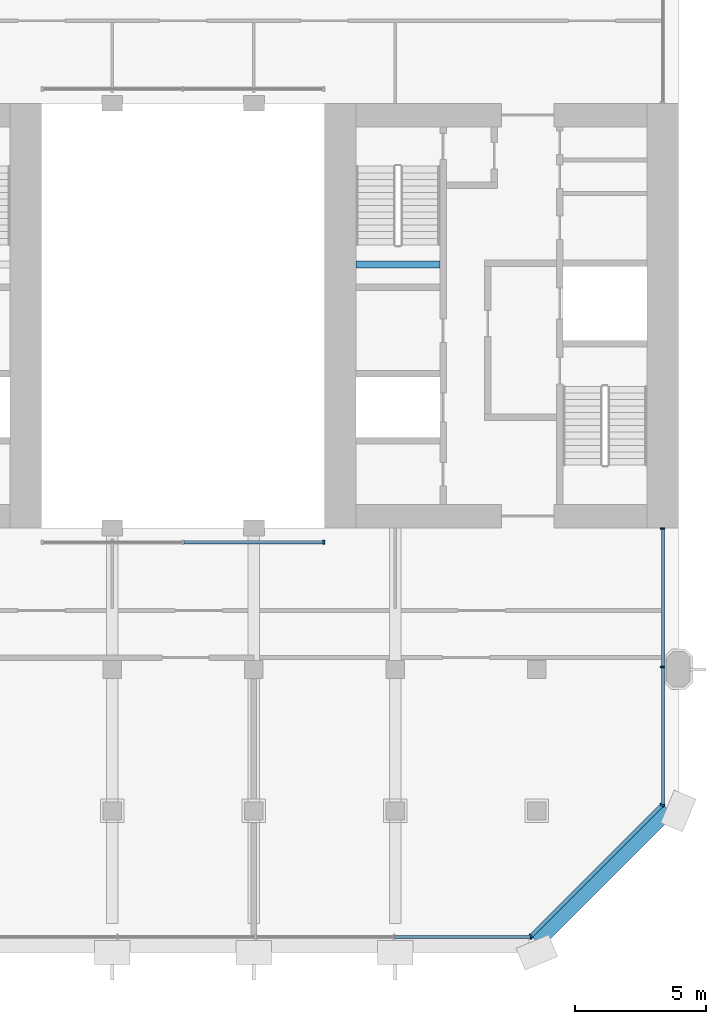
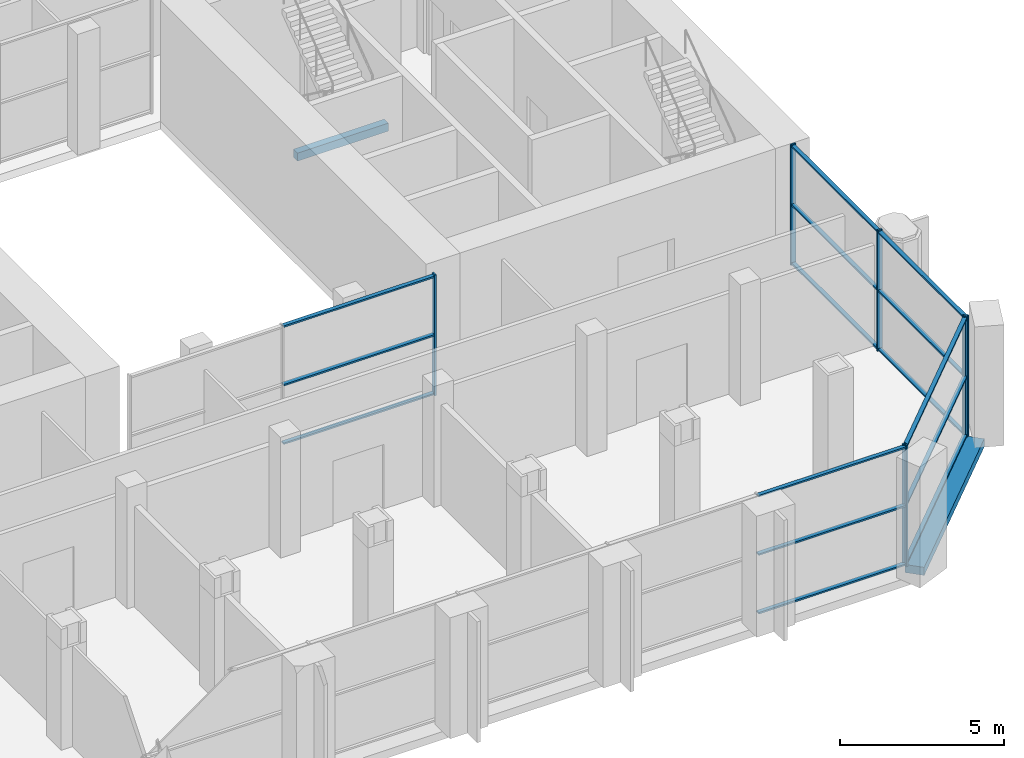
# One storey, part 5 of 14: 22 members, 2 beams, 4 elements without a shape of their own.
"""IFC4 building model written with IfcOpenShell, lengths in metres."""

from ifc_helpers import new_model, si_unit, direction, frame, origin, origin_2d, place, context, subcontext, project, spatial, rectangle, extrude, material, material_profile, profile_set, type_object, element, aggregate, save


model = new_model("IFC4")

# Units and contexts
model_context = context("Model", 3, precision=1e-05, world=origin(), true_north=direction((0.0, 1.0)))
body_context = subcontext(model_context, "Body", "Model", "MODEL_VIEW")
ifc_project = project(units=[si_unit("LENGTHUNIT", "METRE"), si_unit("AREAUNIT", "SQUARE_METRE"), si_unit("VOLUMEUNIT", "CUBIC_METRE"), si_unit("PLANEANGLEUNIT", "RADIAN"), si_unit("MASSUNIT", "GRAM", prefix="KILO")], contexts=[model_context])

# Site, building, storey
site_placement = place(None, origin())
site = spatial("IfcSite", under=ifc_project, at=site_placement, CompositionType="ELEMENT")
building_placement = place(site_placement, origin())
building = spatial("IfcBuilding", under=site, at=building_placement, Name="Tabaq Tower and Sports Hall", CompositionType="ELEMENT")
storey_placement = place(building_placement, frame((0.0, 0.0, 250.89990234375)))
storey = spatial("IfcBuildingStorey", under=building, at=storey_placement, Name="L61", CompositionType="ELEMENT", Elevation=250.89990234375)

# Curtain wall, members
ifc_material_1 = material(Name="Aluminium alloy 6063-T6 framed glazing", Category="aluminium")
curtain_wall_type_1 = type_object("IfcCurtainWallType", Name="CW1 curtain wall", PredefinedType="USERDEFINED", material=ifc_material_1)
curtain_wall_1_placement = place(storey_placement, origin())
curtain_wall_1 = element("IfcCurtainWall", 1, at=curtain_wall_1_placement, inside=storey, type_object=curtain_wall_type_1, Name="Atrium glazing L61 S", ObjectType="ATRIUM ENCLOSURE", PredefinedType="USERDEFINED")
ifc_material_2 = material(Name="Aluminium alloy 6063-T6", Category="aluminium")
ifc_material_profile_1 = material_profile(ifc_material_2, rectangle(XDim=0.159912109375, YDim=0.06005859375, at=origin_2d()), Name="MULLION 160x60")
ifc_profile_set_1 = profile_set([ifc_material_profile_1], Name="Aluminium alloy 6063-T6")
member_type_1 = type_object("IfcMemberType", Name="CW1 mullion 160x60", PredefinedType="MULLION", material=ifc_profile_set_1)
member_1_placement = place(storey_placement, frame((29.669921875, 15.64990234375, 0.0), z_axis=(0.0, 0.0, 1.0), x_axis=(0.0, 1.0, 0.0)))
member_1 = element("IfcMember", 2, at=member_1_placement, type_object=member_type_1, Name="CW1 mullion 3", PredefinedType="MULLION", context=body_context, shape_type="SweptSolid", body=[
    extrude(rectangle(XDim=0.159912109375, YDim=0.06005859375, at=origin_2d()), origin(), (0.0, 0.0, 1.0), 4.5),
])
ifc_material_3 = material(Name="Aluminium alloy 6063-T6", Category="aluminium")
ifc_material_profile_2 = material_profile(ifc_material_3, rectangle(XDim=0.139892578125, YDim=0.06005859375, at=origin_2d()), Name="TRANSOM 140x60")
ifc_profile_set_2 = profile_set([ifc_material_profile_2], Name="Aluminium alloy 6063-T6")
member_type_2 = type_object("IfcMemberType", Name="CW1 transom 140x60", PredefinedType="USERDEFINED", material=ifc_profile_set_2)
member_2_placement = place(storey_placement, frame((24.330078125, 15.64990234375, 0.070068359375), z_axis=(1.0, 0.0, 0.0), x_axis=(0.0, 1.0, 0.0)))
member_2 = element("IfcMember", 3, at=member_2_placement, type_object=member_type_2, Name="CW1 transom 2.1", ObjectType="TRANSOM", PredefinedType="USERDEFINED", context=body_context, shape_type="SweptSolid", body=[
    extrude(rectangle(XDim=0.139892578125, YDim=0.06005859375, at=origin_2d()), origin(), (0.0, 0.0, 1.0), 5.309814453125),
])
member_3_placement = place(storey_placement, frame((24.330078125, 15.64990234375, 2.25), z_axis=(1.0, 0.0, 0.0), x_axis=(0.0, 1.0, 0.0)))
member_3 = element("IfcMember", 4, at=member_3_placement, type_object=member_type_2, Name="CW1 transom 2.2", ObjectType="TRANSOM", PredefinedType="USERDEFINED", context=body_context, shape_type="SweptSolid", body=[
    extrude(rectangle(XDim=0.139892578125, YDim=0.06005859375, at=origin_2d()), origin(), (0.0, 0.0, 1.0), 5.309814453125),
])
member_4_placement = place(storey_placement, frame((24.330078125, 15.64990234375, 4.43017578125), z_axis=(1.0, 0.0, 0.0), x_axis=(0.0, 1.0, 0.0)))
member_4 = element("IfcMember", 5, at=member_4_placement, type_object=member_type_2, Name="CW1 transom 2.3", ObjectType="TRANSOM", PredefinedType="USERDEFINED", context=body_context, shape_type="SweptSolid", body=[
    extrude(rectangle(XDim=0.139892578125, YDim=0.06005859375, at=origin_2d()), origin(), (0.0, 0.0, 1.0), 5.309814453125),
])
aggregate(curtain_wall_1, [member_1, member_2, member_3, member_4])

# Curtain wall, member
ifc_material_4 = material(Name="Aluminium alloy 6063-T6 framed glazing", Category="aluminium")
curtain_wall_type_2 = type_object("IfcCurtainWallType", Name="CW3 curtain wall", PredefinedType="USERDEFINED", material=ifc_material_4)
curtain_wall_2_placement = place(storey_placement, origin())
curtain_wall_2 = element("IfcCurtainWall", 6, at=curtain_wall_2_placement, inside=storey, type_object=curtain_wall_type_2, Name="Garden Floor Wall L61 S", ObjectType="GARDEN FLOOR WALL", PredefinedType="USERDEFINED")
ifc_material_5 = material(Name="Aluminium alloy 6063-T6", Category="aluminium")
ifc_material_profile_3 = material_profile(ifc_material_5, rectangle(XDim=0.179931640625, YDim=0.06005859375, at=origin_2d()), Name="MULLION 180x60")
ifc_profile_set_3 = profile_set([ifc_material_profile_3], Name="Aluminium alloy 6063-T6")
member_type_3 = type_object("IfcMemberType", Name="CW3 mullion 180x60", PredefinedType="MULLION", material=ifc_profile_set_3)
member_5_placement = place(storey_placement, frame((37.58349609375, 0.60009765625, 0.0), z_axis=(0.0, 0.0, 1.0), x_axis=(0.0, 1.0, 0.0)))
member_5 = element("IfcMember", 7, at=member_5_placement, type_object=member_type_3, Name="CW3 mullion 7", PredefinedType="MULLION", context=body_context, shape_type="SweptSolid", body=[
    extrude(rectangle(XDim=0.179931640625, YDim=0.06005859375, at=origin_2d()), origin(), (0.0, 0.0, 1.0), 4.5),
])

# Curtain wall, members
curtain_wall_3_placement = place(storey_placement, origin())
curtain_wall_3 = element("IfcCurtainWall", 8, at=curtain_wall_3_placement, inside=storey, type_object=curtain_wall_type_2, Name="Garden Floor Wall L61 SE", ObjectType="GARDEN FLOOR WALL", PredefinedType="USERDEFINED")
member_6_placement = place(storey_placement, frame((37.57275390625, 0.62109375, 0.0), z_axis=(0.0, 0.0, 1.0), x_axis=(-0.707106781187, 0.707106781187, 0.0)))
member_6 = element("IfcMember", 9, at=member_6_placement, type_object=member_type_3, Name="CW3 mullion 1", PredefinedType="MULLION", context=body_context, shape_type="SweptSolid", body=[
    extrude(rectangle(XDim=0.179931640625, YDim=0.06005859375, at=origin_2d()), origin(), (0.0, 0.0, 1.0), 4.5),
])
member_7_placement = place(storey_placement, frame((42.578857421875, 5.627197265625, 0.0), z_axis=(0.0, 0.0, 1.0), x_axis=(-0.707106781187, 0.707106781187, 0.0)))
member_7 = element("IfcMember", 10, at=member_7_placement, type_object=member_type_3, Name="CW3 mullion 2", PredefinedType="MULLION", context=body_context, shape_type="SweptSolid", body=[
    extrude(rectangle(XDim=0.179931640625, YDim=0.06005859375, at=origin_2d()), origin(), (0.0, 0.0, 1.0), 4.5),
])

curtain_wall_4_placement = place(storey_placement, origin())
curtain_wall_4 = element("IfcCurtainWall", 11, at=curtain_wall_4_placement, inside=storey, type_object=curtain_wall_type_2, Name="Garden Floor Wall L61 E", ObjectType="GARDEN FLOOR WALL", PredefinedType="USERDEFINED")
member_8_placement = place(storey_placement, frame((42.60009765625, 5.616455078125, 0.0), z_axis=(0.0, 0.0, 1.0), x_axis=(-1.0, 0.0, 0.0)))
member_8 = element("IfcMember", 12, at=member_8_placement, type_object=member_type_3, Name="CW3 mullion 1", PredefinedType="MULLION", context=body_context, shape_type="SweptSolid", body=[
    extrude(rectangle(XDim=0.179931640625, YDim=0.06005859375, at=origin_2d()), origin(), (0.0, 0.0, 1.0), 4.5),
])
member_9_placement = place(storey_placement, frame((42.60009765625, 10.893310546875, 0.0), z_axis=(0.0, 0.0, 1.0), x_axis=(-1.0, 0.0, 0.0)))
member_9 = element("IfcMember", 13, at=member_9_placement, type_object=member_type_3, Name="CW3 mullion 2", PredefinedType="MULLION", context=body_context, shape_type="SweptSolid", body=[
    extrude(rectangle(XDim=0.179931640625, YDim=0.06005859375, at=origin_2d()), origin(), (0.0, 0.0, 1.0), 4.5),
])
member_10_placement = place(storey_placement, frame((42.60009765625, 16.169921875, 0.0), z_axis=(0.0, 0.0, 1.0), x_axis=(-1.0, 0.0, 0.0)))
member_10 = element("IfcMember", 14, at=member_10_placement, type_object=member_type_3, Name="CW3 mullion 3", PredefinedType="MULLION", context=body_context, shape_type="SweptSolid", body=[
    extrude(rectangle(XDim=0.179931640625, YDim=0.06005859375, at=origin_2d()), origin(), (0.0, 0.0, 1.0), 4.5),
])

# Member
ifc_material_6 = material(Name="Aluminium alloy 6063-T6", Category="aluminium")
ifc_material_profile_4 = material_profile(ifc_material_6, rectangle(XDim=0.139892578125, YDim=0.06005859375, at=origin_2d()), Name="TRANSOM 140x60")
ifc_profile_set_4 = profile_set([ifc_material_profile_4], Name="Aluminium alloy 6063-T6")
member_type_4 = type_object("IfcMemberType", Name="CW3 transom 140x60", PredefinedType="USERDEFINED", material=ifc_profile_set_4)
member_11_placement = place(storey_placement, frame((32.374755859375, 0.60009765625, 0.070068359375), z_axis=(1.0, 0.0, 0.0), x_axis=(0.0, 1.0, 0.0)))
member_11 = element("IfcMember", 15, at=member_11_placement, type_object=member_type_4, Name="CW3 transom 6.1", ObjectType="TRANSOM", PredefinedType="USERDEFINED", context=body_context, shape_type="SweptSolid", body=[
    extrude(rectangle(XDim=0.139892578125, YDim=0.06005859375, at=origin_2d()), origin(), (0.0, 0.0, 1.0), 5.178955078125),
])

member_12_placement = place(storey_placement, frame((32.374755859375, 0.60009765625, 2.25), z_axis=(1.0, 0.0, 0.0), x_axis=(0.0, 1.0, 0.0)))
member_12 = element("IfcMember", 16, at=member_12_placement, type_object=member_type_4, Name="CW3 transom 6.2", ObjectType="TRANSOM", PredefinedType="USERDEFINED", context=body_context, shape_type="SweptSolid", body=[
    extrude(rectangle(XDim=0.139892578125, YDim=0.06005859375, at=origin_2d()), origin(), (0.0, 0.0, 1.0), 5.178955078125),
])

member_13_placement = place(storey_placement, frame((32.374755859375, 0.60009765625, 4.43017578125), z_axis=(1.0, 0.0, 0.0), x_axis=(0.0, 1.0, 0.0)))
member_13 = element("IfcMember", 17, at=member_13_placement, type_object=member_type_4, Name="CW3 transom 6.3", ObjectType="TRANSOM", PredefinedType="USERDEFINED", context=body_context, shape_type="SweptSolid", body=[
    extrude(rectangle(XDim=0.139892578125, YDim=0.06005859375, at=origin_2d()), origin(), (0.0, 0.0, 1.0), 5.178955078125),
])

aggregate(curtain_wall_2, [member_5, member_11, member_12, member_13])

member_14_placement = place(storey_placement, frame((37.593994140625, 0.642333984375, 0.070068359375), z_axis=(0.707089391533, 0.707124170412, 0.0), x_axis=(-0.707124170412, 0.707089391533, 0.0)))
member_14 = element("IfcMember", 18, at=member_14_placement, type_object=member_type_4, Name="CW3 transom 1.1", ObjectType="TRANSOM", PredefinedType="USERDEFINED", context=body_context, shape_type="SweptSolid", body=[
    extrude(rectangle(XDim=0.139892578125, YDim=0.06005859375, at=origin_2d()), origin(), (0.0, 0.0, 1.0), 7.019775390625),
])

member_15_placement = place(storey_placement, frame((37.593994140625, 0.642333984375, 2.25), z_axis=(0.707089391533, 0.707124170412, 0.0), x_axis=(-0.707124170412, 0.707089391533, 0.0)))
member_15 = element("IfcMember", 19, at=member_15_placement, type_object=member_type_4, Name="CW3 transom 1.2", ObjectType="TRANSOM", PredefinedType="USERDEFINED", context=body_context, shape_type="SweptSolid", body=[
    extrude(rectangle(XDim=0.139892578125, YDim=0.06005859375, at=origin_2d()), origin(), (0.0, 0.0, 1.0), 7.019775390625),
])

member_16_placement = place(storey_placement, frame((37.593994140625, 0.642333984375, 4.43017578125), z_axis=(0.707089391533, 0.707124170412, 0.0), x_axis=(-0.707124170412, 0.707089391533, 0.0)))
member_16 = element("IfcMember", 20, at=member_16_placement, type_object=member_type_4, Name="CW3 transom 1.3", ObjectType="TRANSOM", PredefinedType="USERDEFINED", context=body_context, shape_type="SweptSolid", body=[
    extrude(rectangle(XDim=0.139892578125, YDim=0.06005859375, at=origin_2d()), origin(), (0.0, 0.0, 1.0), 7.019775390625),
])

aggregate(curtain_wall_3, [member_6, member_7, member_14, member_15, member_16])

member_17_placement = place(storey_placement, frame((42.60009765625, 5.646484375, 0.070068359375), z_axis=(0.0, 1.0, 0.0), x_axis=(-1.0, 0.0, 0.0)))
member_17 = element("IfcMember", 21, at=member_17_placement, type_object=member_type_4, Name="CW3 transom 1.1", ObjectType="TRANSOM", PredefinedType="USERDEFINED", context=body_context, shape_type="SweptSolid", body=[
    extrude(rectangle(XDim=0.139892578125, YDim=0.06005859375, at=origin_2d()), origin(), (0.0, 0.0, 1.0), 5.216796875),
])

member_18_placement = place(storey_placement, frame((42.60009765625, 5.646484375, 2.25), z_axis=(0.0, 1.0, 0.0), x_axis=(-1.0, 0.0, 0.0)))
member_18 = element("IfcMember", 22, at=member_18_placement, type_object=member_type_4, Name="CW3 transom 1.2", ObjectType="TRANSOM", PredefinedType="USERDEFINED", context=body_context, shape_type="SweptSolid", body=[
    extrude(rectangle(XDim=0.139892578125, YDim=0.06005859375, at=origin_2d()), origin(), (0.0, 0.0, 1.0), 5.216796875),
])

member_19_placement = place(storey_placement, frame((42.60009765625, 5.646484375, 4.43017578125), z_axis=(0.0, 1.0, 0.0), x_axis=(-1.0, 0.0, 0.0)))
member_19 = element("IfcMember", 23, at=member_19_placement, type_object=member_type_4, Name="CW3 transom 1.3", ObjectType="TRANSOM", PredefinedType="USERDEFINED", context=body_context, shape_type="SweptSolid", body=[
    extrude(rectangle(XDim=0.139892578125, YDim=0.06005859375, at=origin_2d()), origin(), (0.0, 0.0, 1.0), 5.216796875),
])

member_20_placement = place(storey_placement, frame((42.60009765625, 10.923095703125, 0.070068359375), z_axis=(0.0, 1.0, 0.0), x_axis=(-1.0, 0.0, 0.0)))
member_20 = element("IfcMember", 24, at=member_20_placement, type_object=member_type_4, Name="CW3 transom 2.1", ObjectType="TRANSOM", PredefinedType="USERDEFINED", context=body_context, shape_type="SweptSolid", body=[
    extrude(rectangle(XDim=0.139892578125, YDim=0.06005859375, at=origin_2d()), origin(), (0.0, 0.0, 1.0), 5.216796875),
])

member_21_placement = place(storey_placement, frame((42.60009765625, 10.923095703125, 2.25), z_axis=(0.0, 1.0, 0.0), x_axis=(-1.0, 0.0, 0.0)))
member_21 = element("IfcMember", 25, at=member_21_placement, type_object=member_type_4, Name="CW3 transom 2.2", ObjectType="TRANSOM", PredefinedType="USERDEFINED", context=body_context, shape_type="SweptSolid", body=[
    extrude(rectangle(XDim=0.139892578125, YDim=0.06005859375, at=origin_2d()), origin(), (0.0, 0.0, 1.0), 5.216796875),
])

member_22_placement = place(storey_placement, frame((42.60009765625, 10.923095703125, 4.43017578125), z_axis=(0.0, 1.0, 0.0), x_axis=(-1.0, 0.0, 0.0)))
member_22 = element("IfcMember", 26, at=member_22_placement, type_object=member_type_4, Name="CW3 transom 2.3", ObjectType="TRANSOM", PredefinedType="USERDEFINED", context=body_context, shape_type="SweptSolid", body=[
    extrude(rectangle(XDim=0.139892578125, YDim=0.06005859375, at=origin_2d()), origin(), (0.0, 0.0, 1.0), 5.216796875),
])

aggregate(curtain_wall_4, [member_8, member_9, member_10, member_17, member_18, member_19, member_20, member_21, member_22])

# Beams
ifc_material_7 = material(Name="Concrete C40/50", Category="concrete")
ifc_material_profile_5 = material_profile(ifc_material_7, rectangle(XDim=0.60009765625, YDim=0.300048828125, at=origin_2d()), Name="EB 600x300")
ifc_profile_set_5 = profile_set([ifc_material_profile_5], Name="Concrete C40/50")
beam_type_1 = type_object("IfcBeamType", Name="PT EDGE BEAM EB 600x300 C40/50", PredefinedType="SPANDREL", material=ifc_profile_set_5)
beam_1_placement = place(storey_placement, frame((37.799072265625, 0.42333984375, -0.14990234375), z_axis=(0.707106781187, 0.707106781187, 0.0), x_axis=(-0.707106781187, 0.707106781187, 0.0)))
element("IfcBeam", 27, at=beam_1_placement, inside=storey, type_object=beam_type_1, Name="Edge Beam L61 2", PredefinedType="SPANDREL", context=body_context, shape_type="SweptSolid", body=[
    extrude(rectangle(XDim=0.60009765625, YDim=0.300048828125, at=origin_2d()), origin(), (0.0, 0.0, 1.0), 7.087890625),
])
ifc_material_8 = material(Name="Concrete C40/50", Category="concrete")
ifc_material_profile_6 = material_profile(ifc_material_8, rectangle(XDim=0.25, YDim=0.300048828125, at=origin_2d()), Name="RC 250x300")
ifc_profile_set_6 = profile_set([ifc_material_profile_6], Name="Concrete C40/50")
beam_type_2 = type_object("IfcBeamType", Name="Stair landing beam 250x300", PredefinedType="BEAM", material=ifc_profile_set_6)
beam_2_placement = place(storey_placement, frame((30.89990234375, 26.25, 2.050048828125), z_axis=(1.0, 0.0, 0.0), x_axis=(0.0, 1.0, 0.0)))
element("IfcBeam", 28, at=beam_2_placement, inside=storey, type_object=beam_type_2, Name="L61 ST4 landing beam 1", PredefinedType="BEAM", context=body_context, shape_type="SweptSolid", body=[
    extrude(rectangle(XDim=0.25, YDim=0.300048828125, at=origin_2d()), origin(), (0.0, 0.0, 1.0), 3.2001953125),
])

save(model, "model.ifc")
